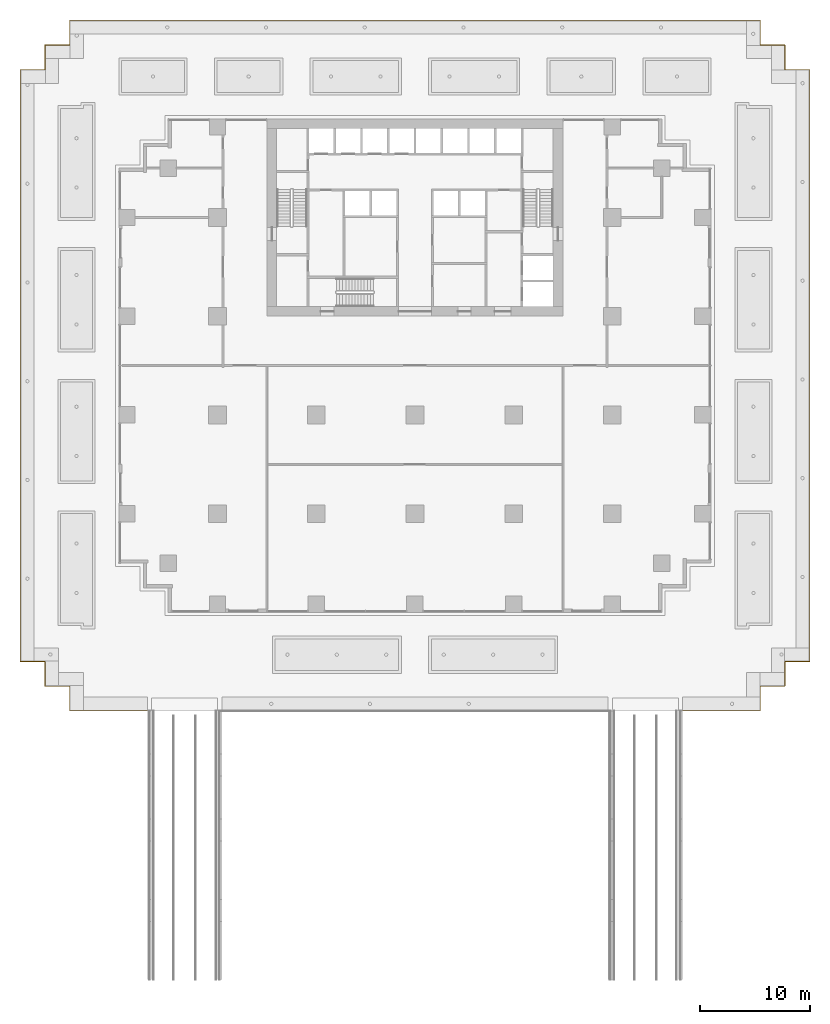
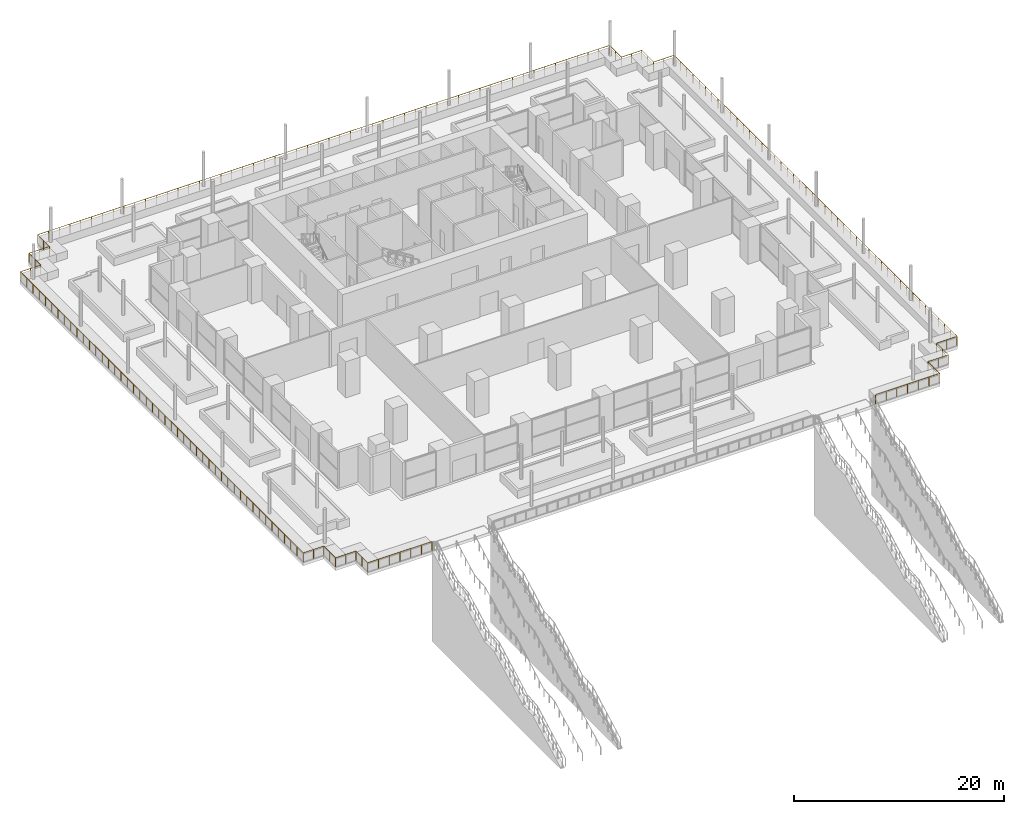
# One storey, part 16 of 18: 1 railing.
"""IFC4 building model written with IfcOpenShell, lengths in metres."""

from ifc_helpers import new_model, si_unit, direction, frame, origin, origin_2d, place, context, subcontext, project, spatial, polyline, rectangle, outline, extrude, material, type_object, element, save


model = new_model("IFC4")

# Units and contexts
model_context = context("Model", 3, precision=1e-05, world=origin(), true_north=direction((0.0, 1.0)))
body_context = subcontext(model_context, "Body", "Model", "MODEL_VIEW")
ifc_project = project(units=[si_unit("LENGTHUNIT", "METRE"), si_unit("AREAUNIT", "SQUARE_METRE"), si_unit("VOLUMEUNIT", "CUBIC_METRE"), si_unit("PLANEANGLEUNIT", "RADIAN"), si_unit("MASSUNIT", "GRAM", prefix="KILO")], contexts=[model_context])

# Site, building, storey
site_placement = place(None, origin())
site = spatial("IfcSite", under=ifc_project, at=site_placement, CompositionType="ELEMENT")
building_placement = place(site_placement, origin())
building = spatial("IfcBuilding", under=site, at=building_placement, Name="Orbiselva Terraces", CompositionType="ELEMENT")
storey_placement = place(building_placement, frame((0.0, 0.0, 10.5)))
storey = spatial("IfcBuildingStorey", under=building, at=storey_placement, Name="L02", CompositionType="ELEMENT", Elevation=10.5)

# Railing
ifc_material = material(Name="Stainless steel rail and posts", Category="steel")
railing_type = type_object("IfcRailingType", Name="ENV-TERRACE-GUARD-1105", PredefinedType="BALUSTRADE", material=ifc_material)
railing_placement = place(storey_placement, frame((24.4, -31.475, 0.05)))
element("IfcRailing", 1, at=railing_placement, inside=storey, type_object=railing_type, Name="Guard L02 deck", PredefinedType="BALUSTRADE", context=body_context, shape_type="SweptSolid", body=[
    extrude(outline(polyline([(0.028868, 0.0), (0.014434, 0.025), (-0.014434, 0.025), (-0.028868, 0.0), (-0.014434, -0.025), (0.014434, -0.025), (0.028868, 0.0)])), frame((0.0, 0.0, 1.08), z_axis=(1.0, 0.0, 0.0), x_axis=(0.0, 1.0, 0.0)), (0.0, 0.0, 1.0), 7.075),
    extrude(outline(polyline([(0.028868, 0.0), (0.014434, 0.025), (-0.014434, 0.025), (-0.028868, 0.0), (-0.014434, -0.025), (0.014434, -0.025), (0.028868, 0.0)])), frame((7.075, 0.0, 1.08), z_axis=(0.0, 1.0, 0.0), x_axis=(-1.0, 0.0, 0.0)), (0.0, 0.0, 1.0), 2.25),
    extrude(outline(polyline([(0.028868, 0.0), (0.014434, 0.025), (-0.014434, 0.025), (-0.028868, 0.0), (-0.014434, -0.025), (0.014434, -0.025), (0.028868, 0.0)])), frame((7.075, 2.25, 1.08), z_axis=(1.0, 0.0, 0.0), x_axis=(0.0, 1.0, 0.0)), (0.0, 0.0, 1.0), 2.25),
    extrude(outline(polyline([(0.028868, 0.0), (0.014434, 0.025), (-0.014434, 0.025), (-0.028868, 0.0), (-0.014434, -0.025), (0.014434, -0.025), (0.028868, 0.0)])), frame((9.325, 2.25, 1.08), z_axis=(0.0, 1.0, 0.0), x_axis=(-1.0, 0.0, 0.0)), (0.0, 0.0, 1.0), 2.25),
    extrude(outline(polyline([(0.028868, 0.0), (0.014434, 0.025), (-0.014434, 0.025), (-0.028868, 0.0), (-0.014434, -0.025), (0.014434, -0.025), (0.028868, 0.0)])), frame((9.325, 4.5, 1.08), z_axis=(1.0, 0.0, 0.0), x_axis=(0.0, 1.0, 0.0)), (0.0, 0.0, 1.0), 2.25),
    extrude(outline(polyline([(0.028868, 0.0), (0.014434, 0.025), (-0.014434, 0.025), (-0.028868, 0.0), (-0.014434, -0.025), (0.014434, -0.025), (0.028868, 0.0)])), frame((11.575, 4.5, 1.08), z_axis=(0.0, 1.0, 0.0), x_axis=(-1.0, 0.0, 0.0)), (0.0, 0.0, 1.0), 53.95),
    extrude(outline(polyline([(0.028868, 0.0), (0.014434, 0.025), (-0.014434, 0.025), (-0.028868, 0.0), (-0.014434, -0.025), (0.014434, -0.025), (0.028868, 0.0)])), frame((11.575, 58.45, 1.08), z_axis=(-1.0, 0.0, 0.0), x_axis=(0.0, -1.0, 0.0)), (0.0, 0.0, 1.0), 2.25),
    extrude(outline(polyline([(0.028868, 0.0), (0.014434, 0.025), (-0.014434, 0.025), (-0.028868, 0.0), (-0.014434, -0.025), (0.014434, -0.025), (0.028868, 0.0)])), frame((9.325, 58.45, 1.08), z_axis=(0.0, 1.0, 0.0), x_axis=(-1.0, 0.0, 0.0)), (0.0, 0.0, 1.0), 2.25),
    extrude(outline(polyline([(0.028868, 0.0), (0.014434, 0.025), (-0.014434, 0.025), (-0.028868, 0.0), (-0.014434, -0.025), (0.014434, -0.025), (0.028868, 0.0)])), frame((9.325, 60.7, 1.08), z_axis=(-1.0, 0.0, 0.0), x_axis=(0.0, -1.0, 0.0)), (0.0, 0.0, 1.0), 2.25),
    extrude(outline(polyline([(0.028868, 0.0), (0.014434, 0.025), (-0.014434, 0.025), (-0.028868, 0.0), (-0.014434, -0.025), (0.014434, -0.025), (0.028868, 0.0)])), frame((7.075, 60.7, 1.08), z_axis=(0.0, 1.0, 0.0), x_axis=(-1.0, 0.0, 0.0)), (0.0, 0.0, 1.0), 2.25),
    extrude(outline(polyline([(0.028868, 0.0), (0.014434, 0.025), (-0.014434, 0.025), (-0.028868, 0.0), (-0.014434, -0.025), (0.014434, -0.025), (0.028868, 0.0)])), frame((7.075, 62.95, 1.08), z_axis=(-1.0, 0.0, 0.0), x_axis=(0.0, -1.0, 0.0)), (0.0, 0.0, 1.0), 62.95),
    extrude(outline(polyline([(0.028868, 0.0), (0.014434, 0.025), (-0.014434, 0.025), (-0.028868, 0.0), (-0.014434, -0.025), (0.014434, -0.025), (0.028868, 0.0)])), frame((-55.875, 62.95, 1.08), z_axis=(0.0, -1.0, 0.0), x_axis=(1.0, 0.0, 0.0)), (0.0, 0.0, 1.0), 2.25),
    extrude(outline(polyline([(0.028868, 0.0), (0.014434, 0.025), (-0.014434, 0.025), (-0.028868, 0.0), (-0.014434, -0.025), (0.014434, -0.025), (0.028868, 0.0)])), frame((-55.875, 60.7, 1.08), z_axis=(-1.0, 0.0, 0.0), x_axis=(0.0, -1.0, 0.0)), (0.0, 0.0, 1.0), 2.25),
    extrude(outline(polyline([(0.028868, 0.0), (0.014434, 0.025), (-0.014434, 0.025), (-0.028868, 0.0), (-0.014434, -0.025), (0.014434, -0.025), (0.028868, 0.0)])), frame((-58.125, 60.7, 1.08), z_axis=(0.0, -1.0, 0.0), x_axis=(1.0, 0.0, 0.0)), (0.0, 0.0, 1.0), 2.25),
    extrude(outline(polyline([(0.028868, 0.0), (0.014434, 0.025), (-0.014434, 0.025), (-0.028868, 0.0), (-0.014434, -0.025), (0.014434, -0.025), (0.028868, 0.0)])), frame((-58.125, 58.45, 1.08), z_axis=(-1.0, 0.0, 0.0), x_axis=(0.0, -1.0, 0.0)), (0.0, 0.0, 1.0), 2.25),
    extrude(outline(polyline([(0.028868, 0.0), (0.014434, 0.025), (-0.014434, 0.025), (-0.028868, 0.0), (-0.014434, -0.025), (0.014434, -0.025), (0.028868, 0.0)])), frame((-60.375, 58.45, 1.08), z_axis=(0.0, -1.0, 0.0), x_axis=(1.0, 0.0, 0.0)), (0.0, 0.0, 1.0), 53.95),
    extrude(outline(polyline([(0.028868, 0.0), (0.014434, 0.025), (-0.014434, 0.025), (-0.028868, 0.0), (-0.014434, -0.025), (0.014434, -0.025), (0.028868, 0.0)])), frame((-60.375, 4.5, 1.08), z_axis=(1.0, 0.0, 0.0), x_axis=(0.0, 1.0, 0.0)), (0.0, 0.0, 1.0), 2.25),
    extrude(outline(polyline([(0.028868, 0.0), (0.014434, 0.025), (-0.014434, 0.025), (-0.028868, 0.0), (-0.014434, -0.025), (0.014434, -0.025), (0.028868, 0.0)])), frame((-58.125, 4.5, 1.08), z_axis=(0.0, -1.0, 0.0), x_axis=(1.0, 0.0, 0.0)), (0.0, 0.0, 1.0), 2.25),
    extrude(outline(polyline([(0.028868, 0.0), (0.014434, 0.025), (-0.014434, 0.025), (-0.028868, 0.0), (-0.014434, -0.025), (0.014434, -0.025), (0.028868, 0.0)])), frame((-58.125, 2.25, 1.08), z_axis=(1.0, 0.0, 0.0), x_axis=(0.0, 1.0, 0.0)), (0.0, 0.0, 1.0), 2.25),
    extrude(outline(polyline([(0.028868, 0.0), (0.014434, 0.025), (-0.014434, 0.025), (-0.028868, 0.0), (-0.014434, -0.025), (0.014434, -0.025), (0.028868, 0.0)])), frame((-55.875, 2.25, 1.08), z_axis=(0.0, -1.0, 0.0), x_axis=(1.0, 0.0, 0.0)), (0.0, 0.0, 1.0), 2.25),
    extrude(outline(polyline([(0.028868, 0.0), (0.014434, 0.025), (-0.014434, 0.025), (-0.028868, 0.0), (-0.014434, -0.025), (0.014434, -0.025), (0.028868, 0.0)])), frame((-55.875, 0.0, 1.08), z_axis=(1.0, 0.0, 0.0), x_axis=(0.0, 1.0, 0.0)), (0.0, 0.0, 1.0), 7.075),
    extrude(rectangle(XDim=0.05, YDim=0.05, at=origin_2d()), origin(), (0.0, 0.0, 1.0), 1.055),
    extrude(rectangle(XDim=0.05, YDim=0.05, at=origin_2d()), frame((1.179167, 0.0, 0.0)), (0.0, 0.0, 1.0), 1.055),
    extrude(rectangle(XDim=0.05, YDim=0.05, at=origin_2d()), frame((2.358333, 0.0, 0.0)), (0.0, 0.0, 1.0), 1.055),
    extrude(rectangle(XDim=0.05, YDim=0.05, at=origin_2d()), frame((3.5375, 0.0, 0.0)), (0.0, 0.0, 1.0), 1.055),
    extrude(rectangle(XDim=0.05, YDim=0.05, at=origin_2d()), frame((4.716667, 0.0, 0.0)), (0.0, 0.0, 1.0), 1.055),
    extrude(rectangle(XDim=0.05, YDim=0.05, at=origin_2d()), frame((5.895833, 0.0, 0.0)), (0.0, 0.0, 1.0), 1.055),
    extrude(rectangle(XDim=0.05, YDim=0.05, at=origin_2d()), frame((7.075, 0.0, 0.0)), (0.0, 0.0, 1.0), 1.055),
    extrude(rectangle(XDim=0.05, YDim=0.05, at=origin_2d()), frame((7.075, 1.125, 0.0)), (0.0, 0.0, 1.0), 1.055),
    extrude(rectangle(XDim=0.05, YDim=0.05, at=origin_2d()), frame((7.075, 2.25, 0.0)), (0.0, 0.0, 1.0), 1.055),
    extrude(rectangle(XDim=0.05, YDim=0.05, at=origin_2d()), frame((8.2, 2.25, 0.0)), (0.0, 0.0, 1.0), 1.055),
    extrude(rectangle(XDim=0.05, YDim=0.05, at=origin_2d()), frame((9.325, 2.25, 0.0)), (0.0, 0.0, 1.0), 1.055),
    extrude(rectangle(XDim=0.05, YDim=0.05, at=origin_2d()), frame((9.325, 3.375, 0.0)), (0.0, 0.0, 1.0), 1.055),
    extrude(rectangle(XDim=0.05, YDim=0.05, at=origin_2d()), frame((9.325, 4.5, 0.0)), (0.0, 0.0, 1.0), 1.055),
    extrude(rectangle(XDim=0.05, YDim=0.05, at=origin_2d()), frame((10.45, 4.5, 0.0)), (0.0, 0.0, 1.0), 1.055),
    extrude(rectangle(XDim=0.05, YDim=0.05, at=origin_2d()), frame((11.575, 4.5, 0.0)), (0.0, 0.0, 1.0), 1.055),
    extrude(rectangle(XDim=0.05, YDim=0.05, at=origin_2d()), frame((11.575, 5.698889, 0.0)), (0.0, 0.0, 1.0), 1.055),
    extrude(rectangle(XDim=0.05, YDim=0.05, at=origin_2d()), frame((11.575, 6.897778, 0.0)), (0.0, 0.0, 1.0), 1.055),
    extrude(rectangle(XDim=0.05, YDim=0.05, at=origin_2d()), frame((11.575, 8.096667, 0.0)), (0.0, 0.0, 1.0), 1.055),
    extrude(rectangle(XDim=0.05, YDim=0.05, at=origin_2d()), frame((11.575, 9.295556, 0.0)), (0.0, 0.0, 1.0), 1.055),
    extrude(rectangle(XDim=0.05, YDim=0.05, at=origin_2d()), frame((11.575, 10.494444, 0.0)), (0.0, 0.0, 1.0), 1.055),
    extrude(rectangle(XDim=0.05, YDim=0.05, at=origin_2d()), frame((11.575, 11.693333, 0.0)), (0.0, 0.0, 1.0), 1.055),
    extrude(rectangle(XDim=0.05, YDim=0.05, at=origin_2d()), frame((11.575, 12.892222, 0.0)), (0.0, 0.0, 1.0), 1.055),
    extrude(rectangle(XDim=0.05, YDim=0.05, at=origin_2d()), frame((11.575, 14.091111, 0.0)), (0.0, 0.0, 1.0), 1.055),
    extrude(rectangle(XDim=0.05, YDim=0.05, at=origin_2d()), frame((11.575, 15.29, 0.0)), (0.0, 0.0, 1.0), 1.055),
    extrude(rectangle(XDim=0.05, YDim=0.05, at=origin_2d()), frame((11.575, 16.488889, 0.0)), (0.0, 0.0, 1.0), 1.055),
    extrude(rectangle(XDim=0.05, YDim=0.05, at=origin_2d()), frame((11.575, 17.687778, 0.0)), (0.0, 0.0, 1.0), 1.055),
    extrude(rectangle(XDim=0.05, YDim=0.05, at=origin_2d()), frame((11.575, 18.886667, 0.0)), (0.0, 0.0, 1.0), 1.055),
    extrude(rectangle(XDim=0.05, YDim=0.05, at=origin_2d()), frame((11.575, 20.085556, 0.0)), (0.0, 0.0, 1.0), 1.055),
    extrude(rectangle(XDim=0.05, YDim=0.05, at=origin_2d()), frame((11.575, 21.284444, 0.0)), (0.0, 0.0, 1.0), 1.055),
    extrude(rectangle(XDim=0.05, YDim=0.05, at=origin_2d()), frame((11.575, 22.483333, 0.0)), (0.0, 0.0, 1.0), 1.055),
    extrude(rectangle(XDim=0.05, YDim=0.05, at=origin_2d()), frame((11.575, 23.682222, 0.0)), (0.0, 0.0, 1.0), 1.055),
    extrude(rectangle(XDim=0.05, YDim=0.05, at=origin_2d()), frame((11.575, 24.881111, 0.0)), (0.0, 0.0, 1.0), 1.055),
    extrude(rectangle(XDim=0.05, YDim=0.05, at=origin_2d()), frame((11.575, 26.08, 0.0)), (0.0, 0.0, 1.0), 1.055),
    extrude(rectangle(XDim=0.05, YDim=0.05, at=origin_2d()), frame((11.575, 27.278889, 0.0)), (0.0, 0.0, 1.0), 1.055),
    extrude(rectangle(XDim=0.05, YDim=0.05, at=origin_2d()), frame((11.575, 28.477778, 0.0)), (0.0, 0.0, 1.0), 1.055),
    extrude(rectangle(XDim=0.05, YDim=0.05, at=origin_2d()), frame((11.575, 29.676667, 0.0)), (0.0, 0.0, 1.0), 1.055),
    extrude(rectangle(XDim=0.05, YDim=0.05, at=origin_2d()), frame((11.575, 30.875556, 0.0)), (0.0, 0.0, 1.0), 1.055),
    extrude(rectangle(XDim=0.05, YDim=0.05, at=origin_2d()), frame((11.575, 32.074444, 0.0)), (0.0, 0.0, 1.0), 1.055),
    extrude(rectangle(XDim=0.05, YDim=0.05, at=origin_2d()), frame((11.575, 33.273333, 0.0)), (0.0, 0.0, 1.0), 1.055),
    extrude(rectangle(XDim=0.05, YDim=0.05, at=origin_2d()), frame((11.575, 34.472222, 0.0)), (0.0, 0.0, 1.0), 1.055),
    extrude(rectangle(XDim=0.05, YDim=0.05, at=origin_2d()), frame((11.575, 35.671111, 0.0)), (0.0, 0.0, 1.0), 1.055),
    extrude(rectangle(XDim=0.05, YDim=0.05, at=origin_2d()), frame((11.575, 36.87, 0.0)), (0.0, 0.0, 1.0), 1.055),
    extrude(rectangle(XDim=0.05, YDim=0.05, at=origin_2d()), frame((11.575, 38.068889, 0.0)), (0.0, 0.0, 1.0), 1.055),
    extrude(rectangle(XDim=0.05, YDim=0.05, at=origin_2d()), frame((11.575, 39.267778, 0.0)), (0.0, 0.0, 1.0), 1.055),
    extrude(rectangle(XDim=0.05, YDim=0.05, at=origin_2d()), frame((11.575, 40.466667, 0.0)), (0.0, 0.0, 1.0), 1.055),
    extrude(rectangle(XDim=0.05, YDim=0.05, at=origin_2d()), frame((11.575, 41.665556, 0.0)), (0.0, 0.0, 1.0), 1.055),
    extrude(rectangle(XDim=0.05, YDim=0.05, at=origin_2d()), frame((11.575, 42.864444, 0.0)), (0.0, 0.0, 1.0), 1.055),
    extrude(rectangle(XDim=0.05, YDim=0.05, at=origin_2d()), frame((11.575, 44.063333, 0.0)), (0.0, 0.0, 1.0), 1.055),
    extrude(rectangle(XDim=0.05, YDim=0.05, at=origin_2d()), frame((11.575, 45.262222, 0.0)), (0.0, 0.0, 1.0), 1.055),
    extrude(rectangle(XDim=0.05, YDim=0.05, at=origin_2d()), frame((11.575, 46.461111, 0.0)), (0.0, 0.0, 1.0), 1.055),
    extrude(rectangle(XDim=0.05, YDim=0.05, at=origin_2d()), frame((11.575, 47.66, 0.0)), (0.0, 0.0, 1.0), 1.055),
    extrude(rectangle(XDim=0.05, YDim=0.05, at=origin_2d()), frame((11.575, 48.858889, 0.0)), (0.0, 0.0, 1.0), 1.055),
    extrude(rectangle(XDim=0.05, YDim=0.05, at=origin_2d()), frame((11.575, 50.057778, 0.0)), (0.0, 0.0, 1.0), 1.055),
    extrude(rectangle(XDim=0.05, YDim=0.05, at=origin_2d()), frame((11.575, 51.256667, 0.0)), (0.0, 0.0, 1.0), 1.055),
    extrude(rectangle(XDim=0.05, YDim=0.05, at=origin_2d()), frame((11.575, 52.455556, 0.0)), (0.0, 0.0, 1.0), 1.055),
    extrude(rectangle(XDim=0.05, YDim=0.05, at=origin_2d()), frame((11.575, 53.654444, 0.0)), (0.0, 0.0, 1.0), 1.055),
    extrude(rectangle(XDim=0.05, YDim=0.05, at=origin_2d()), frame((11.575, 54.853333, 0.0)), (0.0, 0.0, 1.0), 1.055),
    extrude(rectangle(XDim=0.05, YDim=0.05, at=origin_2d()), frame((11.575, 56.052222, 0.0)), (0.0, 0.0, 1.0), 1.055),
    extrude(rectangle(XDim=0.05, YDim=0.05, at=origin_2d()), frame((11.575, 57.251111, 0.0)), (0.0, 0.0, 1.0), 1.055),
    extrude(rectangle(XDim=0.05, YDim=0.05, at=origin_2d()), frame((11.575, 58.45, 0.0)), (0.0, 0.0, 1.0), 1.055),
    extrude(rectangle(XDim=0.05, YDim=0.05, at=origin_2d()), frame((10.45, 58.45, 0.0)), (0.0, 0.0, 1.0), 1.055),
    extrude(rectangle(XDim=0.05, YDim=0.05, at=origin_2d()), frame((9.325, 58.45, 0.0)), (0.0, 0.0, 1.0), 1.055),
    extrude(rectangle(XDim=0.05, YDim=0.05, at=origin_2d()), frame((9.325, 59.575, 0.0)), (0.0, 0.0, 1.0), 1.055),
    extrude(rectangle(XDim=0.05, YDim=0.05, at=origin_2d()), frame((9.325, 60.7, 0.0)), (0.0, 0.0, 1.0), 1.055),
    extrude(rectangle(XDim=0.05, YDim=0.05, at=origin_2d()), frame((8.2, 60.7, 0.0)), (0.0, 0.0, 1.0), 1.055),
    extrude(rectangle(XDim=0.05, YDim=0.05, at=origin_2d()), frame((7.075, 60.7, 0.0)), (0.0, 0.0, 1.0), 1.055),
    extrude(rectangle(XDim=0.05, YDim=0.05, at=origin_2d()), frame((7.075, 61.825, 0.0)), (0.0, 0.0, 1.0), 1.055),
    extrude(rectangle(XDim=0.05, YDim=0.05, at=origin_2d()), frame((7.075, 62.95, 0.0)), (0.0, 0.0, 1.0), 1.055),
    extrude(rectangle(XDim=0.05, YDim=0.05, at=origin_2d()), frame((5.887264, 62.95, 0.0)), (0.0, 0.0, 1.0), 1.055),
    extrude(rectangle(XDim=0.05, YDim=0.05, at=origin_2d()), frame((4.699528, 62.95, 0.0)), (0.0, 0.0, 1.0), 1.055),
    extrude(rectangle(XDim=0.05, YDim=0.05, at=origin_2d()), frame((3.511792, 62.95, 0.0)), (0.0, 0.0, 1.0), 1.055),
    extrude(rectangle(XDim=0.05, YDim=0.05, at=origin_2d()), frame((2.324057, 62.95, 0.0)), (0.0, 0.0, 1.0), 1.055),
    extrude(rectangle(XDim=0.05, YDim=0.05, at=origin_2d()), frame((1.136321, 62.95, 0.0)), (0.0, 0.0, 1.0), 1.055),
    extrude(rectangle(XDim=0.05, YDim=0.05, at=origin_2d()), frame((-0.051415, 62.95, 0.0)), (0.0, 0.0, 1.0), 1.055),
    extrude(rectangle(XDim=0.05, YDim=0.05, at=origin_2d()), frame((-1.239151, 62.95, 0.0)), (0.0, 0.0, 1.0), 1.055),
    extrude(rectangle(XDim=0.05, YDim=0.05, at=origin_2d()), frame((-2.426887, 62.95, 0.0)), (0.0, 0.0, 1.0), 1.055),
    extrude(rectangle(XDim=0.05, YDim=0.05, at=origin_2d()), frame((-3.614623, 62.95, 0.0)), (0.0, 0.0, 1.0), 1.055),
    extrude(rectangle(XDim=0.05, YDim=0.05, at=origin_2d()), frame((-4.802358, 62.95, 0.0)), (0.0, 0.0, 1.0), 1.055),
    extrude(rectangle(XDim=0.05, YDim=0.05, at=origin_2d()), frame((-5.990094, 62.95, 0.0)), (0.0, 0.0, 1.0), 1.055),
    extrude(rectangle(XDim=0.05, YDim=0.05, at=origin_2d()), frame((-7.17783, 62.95, 0.0)), (0.0, 0.0, 1.0), 1.055),
    extrude(rectangle(XDim=0.05, YDim=0.05, at=origin_2d()), frame((-8.365566, 62.95, 0.0)), (0.0, 0.0, 1.0), 1.055),
    extrude(rectangle(XDim=0.05, YDim=0.05, at=origin_2d()), frame((-9.553302, 62.95, 0.0)), (0.0, 0.0, 1.0), 1.055),
    extrude(rectangle(XDim=0.05, YDim=0.05, at=origin_2d()), frame((-10.741038, 62.95, 0.0)), (0.0, 0.0, 1.0), 1.055),
    extrude(rectangle(XDim=0.05, YDim=0.05, at=origin_2d()), frame((-11.928774, 62.95, 0.0)), (0.0, 0.0, 1.0), 1.055),
    extrude(rectangle(XDim=0.05, YDim=0.05, at=origin_2d()), frame((-13.116509, 62.95, 0.0)), (0.0, 0.0, 1.0), 1.055),
    extrude(rectangle(XDim=0.05, YDim=0.05, at=origin_2d()), frame((-14.304245, 62.95, 0.0)), (0.0, 0.0, 1.0), 1.055),
    extrude(rectangle(XDim=0.05, YDim=0.05, at=origin_2d()), frame((-15.491981, 62.95, 0.0)), (0.0, 0.0, 1.0), 1.055),
    extrude(rectangle(XDim=0.05, YDim=0.05, at=origin_2d()), frame((-16.679717, 62.95, 0.0)), (0.0, 0.0, 1.0), 1.055),
    extrude(rectangle(XDim=0.05, YDim=0.05, at=origin_2d()), frame((-17.867453, 62.95, 0.0)), (0.0, 0.0, 1.0), 1.055),
    extrude(rectangle(XDim=0.05, YDim=0.05, at=origin_2d()), frame((-19.055189, 62.95, 0.0)), (0.0, 0.0, 1.0), 1.055),
    extrude(rectangle(XDim=0.05, YDim=0.05, at=origin_2d()), frame((-20.242925, 62.95, 0.0)), (0.0, 0.0, 1.0), 1.055),
    extrude(rectangle(XDim=0.05, YDim=0.05, at=origin_2d()), frame((-21.43066, 62.95, 0.0)), (0.0, 0.0, 1.0), 1.055),
    extrude(rectangle(XDim=0.05, YDim=0.05, at=origin_2d()), frame((-22.618396, 62.95, 0.0)), (0.0, 0.0, 1.0), 1.055),
    extrude(rectangle(XDim=0.05, YDim=0.05, at=origin_2d()), frame((-23.806132, 62.95, 0.0)), (0.0, 0.0, 1.0), 1.055),
    extrude(rectangle(XDim=0.05, YDim=0.05, at=origin_2d()), frame((-24.993868, 62.95, 0.0)), (0.0, 0.0, 1.0), 1.055),
    extrude(rectangle(XDim=0.05, YDim=0.05, at=origin_2d()), frame((-26.181604, 62.95, 0.0)), (0.0, 0.0, 1.0), 1.055),
    extrude(rectangle(XDim=0.05, YDim=0.05, at=origin_2d()), frame((-27.36934, 62.95, 0.0)), (0.0, 0.0, 1.0), 1.055),
    extrude(rectangle(XDim=0.05, YDim=0.05, at=origin_2d()), frame((-28.557075, 62.95, 0.0)), (0.0, 0.0, 1.0), 1.055),
    extrude(rectangle(XDim=0.05, YDim=0.05, at=origin_2d()), frame((-29.744811, 62.95, 0.0)), (0.0, 0.0, 1.0), 1.055),
    extrude(rectangle(XDim=0.05, YDim=0.05, at=origin_2d()), frame((-30.932547, 62.95, 0.0)), (0.0, 0.0, 1.0), 1.055),
    extrude(rectangle(XDim=0.05, YDim=0.05, at=origin_2d()), frame((-32.120283, 62.95, 0.0)), (0.0, 0.0, 1.0), 1.055),
    extrude(rectangle(XDim=0.05, YDim=0.05, at=origin_2d()), frame((-33.308019, 62.95, 0.0)), (0.0, 0.0, 1.0), 1.055),
    extrude(rectangle(XDim=0.05, YDim=0.05, at=origin_2d()), frame((-34.495755, 62.95, 0.0)), (0.0, 0.0, 1.0), 1.055),
    extrude(rectangle(XDim=0.05, YDim=0.05, at=origin_2d()), frame((-35.683491, 62.95, 0.0)), (0.0, 0.0, 1.0), 1.055),
    extrude(rectangle(XDim=0.05, YDim=0.05, at=origin_2d()), frame((-36.871226, 62.95, 0.0)), (0.0, 0.0, 1.0), 1.055),
    extrude(rectangle(XDim=0.05, YDim=0.05, at=origin_2d()), frame((-38.058962, 62.95, 0.0)), (0.0, 0.0, 1.0), 1.055),
    extrude(rectangle(XDim=0.05, YDim=0.05, at=origin_2d()), frame((-39.246698, 62.95, 0.0)), (0.0, 0.0, 1.0), 1.055),
    extrude(rectangle(XDim=0.05, YDim=0.05, at=origin_2d()), frame((-40.434434, 62.95, 0.0)), (0.0, 0.0, 1.0), 1.055),
    extrude(rectangle(XDim=0.05, YDim=0.05, at=origin_2d()), frame((-41.62217, 62.95, 0.0)), (0.0, 0.0, 1.0), 1.055),
    extrude(rectangle(XDim=0.05, YDim=0.05, at=origin_2d()), frame((-42.809906, 62.95, 0.0)), (0.0, 0.0, 1.0), 1.055),
    extrude(rectangle(XDim=0.05, YDim=0.05, at=origin_2d()), frame((-43.997642, 62.95, 0.0)), (0.0, 0.0, 1.0), 1.055),
    extrude(rectangle(XDim=0.05, YDim=0.05, at=origin_2d()), frame((-45.185377, 62.95, 0.0)), (0.0, 0.0, 1.0), 1.055),
    extrude(rectangle(XDim=0.05, YDim=0.05, at=origin_2d()), frame((-46.373113, 62.95, 0.0)), (0.0, 0.0, 1.0), 1.055),
    extrude(rectangle(XDim=0.05, YDim=0.05, at=origin_2d()), frame((-47.560849, 62.95, 0.0)), (0.0, 0.0, 1.0), 1.055),
    extrude(rectangle(XDim=0.05, YDim=0.05, at=origin_2d()), frame((-48.748585, 62.95, 0.0)), (0.0, 0.0, 1.0), 1.055),
    extrude(rectangle(XDim=0.05, YDim=0.05, at=origin_2d()), frame((-49.936321, 62.95, 0.0)), (0.0, 0.0, 1.0), 1.055),
    extrude(rectangle(XDim=0.05, YDim=0.05, at=origin_2d()), frame((-51.124057, 62.95, 0.0)), (0.0, 0.0, 1.0), 1.055),
    extrude(rectangle(XDim=0.05, YDim=0.05, at=origin_2d()), frame((-52.311792, 62.95, 0.0)), (0.0, 0.0, 1.0), 1.055),
    extrude(rectangle(XDim=0.05, YDim=0.05, at=origin_2d()), frame((-53.499528, 62.95, 0.0)), (0.0, 0.0, 1.0), 1.055),
    extrude(rectangle(XDim=0.05, YDim=0.05, at=origin_2d()), frame((-54.687264, 62.95, 0.0)), (0.0, 0.0, 1.0), 1.055),
    extrude(rectangle(XDim=0.05, YDim=0.05, at=origin_2d()), frame((-55.875, 62.95, 0.0)), (0.0, 0.0, 1.0), 1.055),
    extrude(rectangle(XDim=0.05, YDim=0.05, at=origin_2d()), frame((-55.875, 61.825, 0.0)), (0.0, 0.0, 1.0), 1.055),
    extrude(rectangle(XDim=0.05, YDim=0.05, at=origin_2d()), frame((-55.875, 60.7, 0.0)), (0.0, 0.0, 1.0), 1.055),
    extrude(rectangle(XDim=0.05, YDim=0.05, at=origin_2d()), frame((-57.0, 60.7, 0.0)), (0.0, 0.0, 1.0), 1.055),
    extrude(rectangle(XDim=0.05, YDim=0.05, at=origin_2d()), frame((-58.125, 60.7, 0.0)), (0.0, 0.0, 1.0), 1.055),
    extrude(rectangle(XDim=0.05, YDim=0.05, at=origin_2d()), frame((-58.125, 59.575, 0.0)), (0.0, 0.0, 1.0), 1.055),
    extrude(rectangle(XDim=0.05, YDim=0.05, at=origin_2d()), frame((-58.125, 58.45, 0.0)), (0.0, 0.0, 1.0), 1.055),
    extrude(rectangle(XDim=0.05, YDim=0.05, at=origin_2d()), frame((-59.25, 58.45, 0.0)), (0.0, 0.0, 1.0), 1.055),
    extrude(rectangle(XDim=0.05, YDim=0.05, at=origin_2d()), frame((-60.375, 58.45, 0.0)), (0.0, 0.0, 1.0), 1.055),
    extrude(rectangle(XDim=0.05, YDim=0.05, at=origin_2d()), frame((-60.375, 57.251111, 0.0)), (0.0, 0.0, 1.0), 1.055),
    extrude(rectangle(XDim=0.05, YDim=0.05, at=origin_2d()), frame((-60.375, 56.052222, 0.0)), (0.0, 0.0, 1.0), 1.055),
    extrude(rectangle(XDim=0.05, YDim=0.05, at=origin_2d()), frame((-60.375, 54.853333, 0.0)), (0.0, 0.0, 1.0), 1.055),
    extrude(rectangle(XDim=0.05, YDim=0.05, at=origin_2d()), frame((-60.375, 53.654444, 0.0)), (0.0, 0.0, 1.0), 1.055),
    extrude(rectangle(XDim=0.05, YDim=0.05, at=origin_2d()), frame((-60.375, 52.455556, 0.0)), (0.0, 0.0, 1.0), 1.055),
    extrude(rectangle(XDim=0.05, YDim=0.05, at=origin_2d()), frame((-60.375, 51.256667, 0.0)), (0.0, 0.0, 1.0), 1.055),
    extrude(rectangle(XDim=0.05, YDim=0.05, at=origin_2d()), frame((-60.375, 50.057778, 0.0)), (0.0, 0.0, 1.0), 1.055),
    extrude(rectangle(XDim=0.05, YDim=0.05, at=origin_2d()), frame((-60.375, 48.858889, 0.0)), (0.0, 0.0, 1.0), 1.055),
    extrude(rectangle(XDim=0.05, YDim=0.05, at=origin_2d()), frame((-60.375, 47.66, 0.0)), (0.0, 0.0, 1.0), 1.055),
    extrude(rectangle(XDim=0.05, YDim=0.05, at=origin_2d()), frame((-60.375, 46.461111, 0.0)), (0.0, 0.0, 1.0), 1.055),
    extrude(rectangle(XDim=0.05, YDim=0.05, at=origin_2d()), frame((-60.375, 45.262222, 0.0)), (0.0, 0.0, 1.0), 1.055),
    extrude(rectangle(XDim=0.05, YDim=0.05, at=origin_2d()), frame((-60.375, 44.063333, 0.0)), (0.0, 0.0, 1.0), 1.055),
    extrude(rectangle(XDim=0.05, YDim=0.05, at=origin_2d()), frame((-60.375, 42.864444, 0.0)), (0.0, 0.0, 1.0), 1.055),
    extrude(rectangle(XDim=0.05, YDim=0.05, at=origin_2d()), frame((-60.375, 41.665556, 0.0)), (0.0, 0.0, 1.0), 1.055),
    extrude(rectangle(XDim=0.05, YDim=0.05, at=origin_2d()), frame((-60.375, 40.466667, 0.0)), (0.0, 0.0, 1.0), 1.055),
    extrude(rectangle(XDim=0.05, YDim=0.05, at=origin_2d()), frame((-60.375, 39.267778, 0.0)), (0.0, 0.0, 1.0), 1.055),
    extrude(rectangle(XDim=0.05, YDim=0.05, at=origin_2d()), frame((-60.375, 38.068889, 0.0)), (0.0, 0.0, 1.0), 1.055),
    extrude(rectangle(XDim=0.05, YDim=0.05, at=origin_2d()), frame((-60.375, 36.87, 0.0)), (0.0, 0.0, 1.0), 1.055),
    extrude(rectangle(XDim=0.05, YDim=0.05, at=origin_2d()), frame((-60.375, 35.671111, 0.0)), (0.0, 0.0, 1.0), 1.055),
    extrude(rectangle(XDim=0.05, YDim=0.05, at=origin_2d()), frame((-60.375, 34.472222, 0.0)), (0.0, 0.0, 1.0), 1.055),
    extrude(rectangle(XDim=0.05, YDim=0.05, at=origin_2d()), frame((-60.375, 33.273333, 0.0)), (0.0, 0.0, 1.0), 1.055),
    extrude(rectangle(XDim=0.05, YDim=0.05, at=origin_2d()), frame((-60.375, 32.074444, 0.0)), (0.0, 0.0, 1.0), 1.055),
    extrude(rectangle(XDim=0.05, YDim=0.05, at=origin_2d()), frame((-60.375, 30.875556, 0.0)), (0.0, 0.0, 1.0), 1.055),
    extrude(rectangle(XDim=0.05, YDim=0.05, at=origin_2d()), frame((-60.375, 29.676667, 0.0)), (0.0, 0.0, 1.0), 1.055),
    extrude(rectangle(XDim=0.05, YDim=0.05, at=origin_2d()), frame((-60.375, 28.477778, 0.0)), (0.0, 0.0, 1.0), 1.055),
    extrude(rectangle(XDim=0.05, YDim=0.05, at=origin_2d()), frame((-60.375, 27.278889, 0.0)), (0.0, 0.0, 1.0), 1.055),
    extrude(rectangle(XDim=0.05, YDim=0.05, at=origin_2d()), frame((-60.375, 26.08, 0.0)), (0.0, 0.0, 1.0), 1.055),
    extrude(rectangle(XDim=0.05, YDim=0.05, at=origin_2d()), frame((-60.375, 24.881111, 0.0)), (0.0, 0.0, 1.0), 1.055),
    extrude(rectangle(XDim=0.05, YDim=0.05, at=origin_2d()), frame((-60.375, 23.682222, 0.0)), (0.0, 0.0, 1.0), 1.055),
    extrude(rectangle(XDim=0.05, YDim=0.05, at=origin_2d()), frame((-60.375, 22.483333, 0.0)), (0.0, 0.0, 1.0), 1.055),
    extrude(rectangle(XDim=0.05, YDim=0.05, at=origin_2d()), frame((-60.375, 21.284444, 0.0)), (0.0, 0.0, 1.0), 1.055),
    extrude(rectangle(XDim=0.05, YDim=0.05, at=origin_2d()), frame((-60.375, 20.085556, 0.0)), (0.0, 0.0, 1.0), 1.055),
    extrude(rectangle(XDim=0.05, YDim=0.05, at=origin_2d()), frame((-60.375, 18.886667, 0.0)), (0.0, 0.0, 1.0), 1.055),
    extrude(rectangle(XDim=0.05, YDim=0.05, at=origin_2d()), frame((-60.375, 17.687778, 0.0)), (0.0, 0.0, 1.0), 1.055),
    extrude(rectangle(XDim=0.05, YDim=0.05, at=origin_2d()), frame((-60.375, 16.488889, 0.0)), (0.0, 0.0, 1.0), 1.055),
    extrude(rectangle(XDim=0.05, YDim=0.05, at=origin_2d()), frame((-60.375, 15.29, 0.0)), (0.0, 0.0, 1.0), 1.055),
    extrude(rectangle(XDim=0.05, YDim=0.05, at=origin_2d()), frame((-60.375, 14.091111, 0.0)), (0.0, 0.0, 1.0), 1.055),
    extrude(rectangle(XDim=0.05, YDim=0.05, at=origin_2d()), frame((-60.375, 12.892222, 0.0)), (0.0, 0.0, 1.0), 1.055),
    extrude(rectangle(XDim=0.05, YDim=0.05, at=origin_2d()), frame((-60.375, 11.693333, 0.0)), (0.0, 0.0, 1.0), 1.055),
    extrude(rectangle(XDim=0.05, YDim=0.05, at=origin_2d()), frame((-60.375, 10.494444, 0.0)), (0.0, 0.0, 1.0), 1.055),
    extrude(rectangle(XDim=0.05, YDim=0.05, at=origin_2d()), frame((-60.375, 9.295556, 0.0)), (0.0, 0.0, 1.0), 1.055),
    extrude(rectangle(XDim=0.05, YDim=0.05, at=origin_2d()), frame((-60.375, 8.096667, 0.0)), (0.0, 0.0, 1.0), 1.055),
    extrude(rectangle(XDim=0.05, YDim=0.05, at=origin_2d()), frame((-60.375, 6.897778, 0.0)), (0.0, 0.0, 1.0), 1.055),
    extrude(rectangle(XDim=0.05, YDim=0.05, at=origin_2d()), frame((-60.375, 5.698889, 0.0)), (0.0, 0.0, 1.0), 1.055),
    extrude(rectangle(XDim=0.05, YDim=0.05, at=origin_2d()), frame((-60.375, 4.5, 0.0)), (0.0, 0.0, 1.0), 1.055),
    extrude(rectangle(XDim=0.05, YDim=0.05, at=origin_2d()), frame((-59.25, 4.5, 0.0)), (0.0, 0.0, 1.0), 1.055),
    extrude(rectangle(XDim=0.05, YDim=0.05, at=origin_2d()), frame((-58.125, 4.5, 0.0)), (0.0, 0.0, 1.0), 1.055),
    extrude(rectangle(XDim=0.05, YDim=0.05, at=origin_2d()), frame((-58.125, 3.375, 0.0)), (0.0, 0.0, 1.0), 1.055),
    extrude(rectangle(XDim=0.05, YDim=0.05, at=origin_2d()), frame((-58.125, 2.25, 0.0)), (0.0, 0.0, 1.0), 1.055),
    extrude(rectangle(XDim=0.05, YDim=0.05, at=origin_2d()), frame((-57.0, 2.25, 0.0)), (0.0, 0.0, 1.0), 1.055),
    extrude(rectangle(XDim=0.05, YDim=0.05, at=origin_2d()), frame((-55.875, 2.25, 0.0)), (0.0, 0.0, 1.0), 1.055),
    extrude(rectangle(XDim=0.05, YDim=0.05, at=origin_2d()), frame((-55.875, 1.125, 0.0)), (0.0, 0.0, 1.0), 1.055),
    extrude(rectangle(XDim=0.05, YDim=0.05, at=origin_2d()), frame((-55.875, 0.0, 0.0)), (0.0, 0.0, 1.0), 1.055),
    extrude(rectangle(XDim=0.05, YDim=0.05, at=origin_2d()), frame((-54.695833, 0.0, 0.0)), (0.0, 0.0, 1.0), 1.055),
    extrude(rectangle(XDim=0.05, YDim=0.05, at=origin_2d()), frame((-53.516667, 0.0, 0.0)), (0.0, 0.0, 1.0), 1.055),
    extrude(rectangle(XDim=0.05, YDim=0.05, at=origin_2d()), frame((-52.3375, 0.0, 0.0)), (0.0, 0.0, 1.0), 1.055),
    extrude(rectangle(XDim=0.05, YDim=0.05, at=origin_2d()), frame((-51.158333, 0.0, 0.0)), (0.0, 0.0, 1.0), 1.055),
    extrude(rectangle(XDim=0.05, YDim=0.05, at=origin_2d()), frame((-49.979167, 0.0, 0.0)), (0.0, 0.0, 1.0), 1.055),
    extrude(rectangle(XDim=0.05, YDim=0.05, at=origin_2d()), frame((-48.8, 0.0, 0.0)), (0.0, 0.0, 1.0), 1.055),
])

save(model, "model.ifc")
